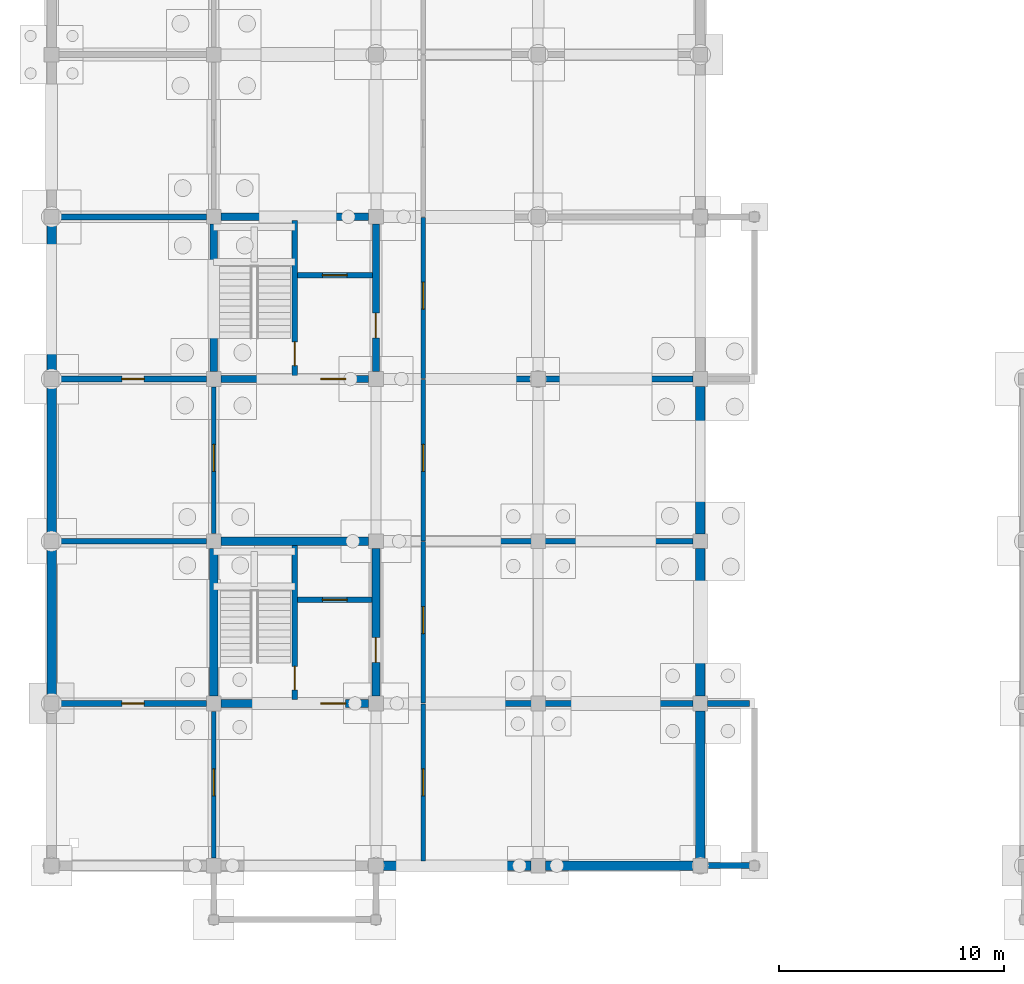
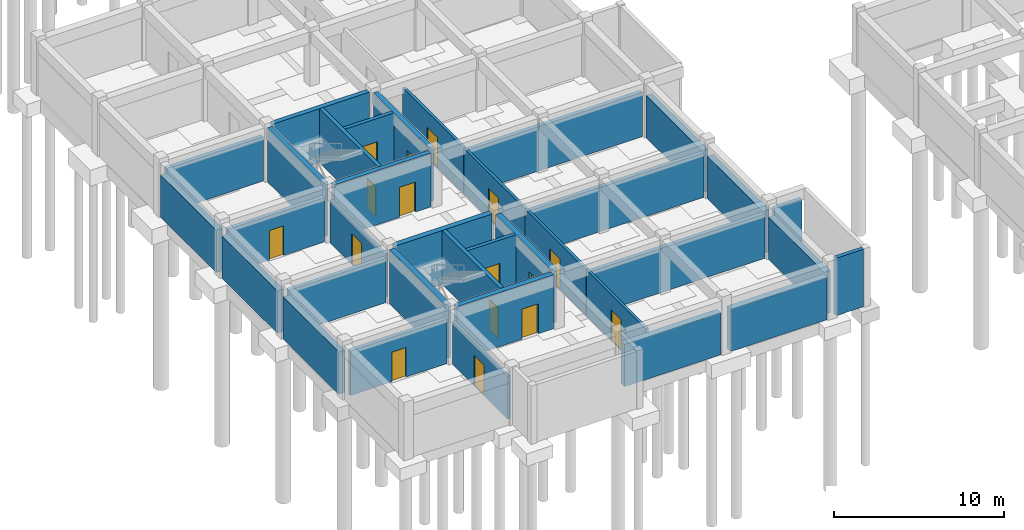
# One storey, part 24 of 38: 35 walls, 16 doors, 16 openings.
"""IFC4 building model written with IfcOpenShell, lengths in metres."""

from ifc_helpers import new_model, si_unit, direction, frame, frame_2d, origin, place, context, subcontext, project, spatial, rectangle, extrude, material, layer, layer_set, type_object, element, fill, save


model = new_model("IFC4")

# Units and contexts
model_context = context("Model", 3, precision=1e-05, world=origin(), true_north=direction((0.0, 1.0)))
body_context = subcontext(model_context, "Body", "Model", "MODEL_VIEW")
ifc_project = project(units=[si_unit("LENGTHUNIT", "METRE"), si_unit("AREAUNIT", "SQUARE_METRE"), si_unit("VOLUMEUNIT", "CUBIC_METRE"), si_unit("PLANEANGLEUNIT", "RADIAN"), si_unit("MASSUNIT", "GRAM", prefix="KILO"), si_unit("THERMODYNAMICTEMPERATUREUNIT", "KELVIN"), si_unit("POWERUNIT", "WATT")], contexts=[model_context])

# Site, building, storey
site_placement = place(None, origin())
site = spatial("IfcSite", under=ifc_project, at=site_placement, CompositionType="ELEMENT")
building_placement = place(site_placement, origin())
building = spatial("IfcBuilding", under=site, at=building_placement, Name="Tavuni Mirador Residences", CompositionType="ELEMENT")
storey_placement = place(building_placement, frame((0.0, 0.0, -4.199951171875)))
storey = spatial("IfcBuildingStorey", under=building, at=storey_placement, Name="B1", CompositionType="ELEMENT", Elevation=-4.199951171875)

# Wall, opening, door
ifc_material_1 = material(Name="Precast concrete C40/50", Category="concrete")
ifc_layer_1 = layer(ifc_material_1, 0.25, Name="Precast concrete C40/50", Category="concrete")
ifc_layer_set_1 = layer_set([ifc_layer_1], Name="Precast concrete C40/50")
wall_type_1 = type_object("IfcWallType", Name="WT-COR250", PredefinedType="SHEAR", material=ifc_layer_set_1)
wall_1_placement = place(storey_placement, frame((14.39990234375, 14.580078125, 0.0), z_axis=(0.0, 0.0, 1.0), x_axis=(0.0, 1.0, 0.0)))
wall_1 = element("IfcWall", 1, at=wall_1_placement, inside=storey, type_object=wall_type_1, Name="CWALL-C1-B1-MID", PredefinedType="SHEAR", context=body_context, shape_type="SweptSolid", body=[
    extrude(rectangle(XDim=6.83984375, YDim=0.25, at=frame_2d((3.419921875, 0.0))), origin(), (0.0, 0.0, 1.0), 3.8798828125),
])
opening_1_placement = place(wall_1_placement, frame((0.419921875, 0.0, 0.0)))
opening_1 = element("IfcOpeningElement", 2, at=opening_1_placement, cuts=wall_1, Name="Opening D-01", PredefinedType="OPENING", context=body_context, shape_type="SweptSolid", body=[
    extrude(rectangle(XDim=1.050048828125, YDim=2.14990234375, at=frame_2d((0.52490234375, 1.074951171875))), frame((0.0, 0.135009765625, 0.0), z_axis=(0.0, -1.0, 0.0), x_axis=(1.0, 0.0, 0.0)), (0.0, 0.0, 1.0), 0.27001953125),
])
ifc_material_2 = material(Name="Solid core iroko timber", Category="wood")
door_type_1 = type_object("IfcDoorType", Name="DT-ST1050", OperationType="NOTDEFINED", PredefinedType="DOOR", material=ifc_material_2)
door_1_placement = place(opening_1_placement, origin())
door_1 = element("IfcDoor", 3, at=door_1_placement, inside=storey, type_object=door_type_1, Name="DR-2003", OperationType="SINGLE_SWING_LEFT", OverallHeight=2.14990234375, OverallWidth=1.050048828125, PredefinedType="DOOR", context=body_context, shape_type="SweptSolid", body=[
    extrude(rectangle(XDim=1.050048828125, YDim=2.14990234375, at=frame_2d((0.52490234375, 1.074951171875))), frame((0.0, 0.02490234375, 0.0), z_axis=(0.0, -1.0, 0.0), x_axis=(1.0, 0.0, 0.0)), (0.0, 0.0, 1.0), 0.050048828125),
])
fill(opening_1, door_1)

wall_2_placement = place(storey_placement, frame((14.52490234375, 19.0, 0.0), z_axis=(0.0, 0.0, 1.0), x_axis=(1.0, 0.0, 0.0)))
wall_2 = element("IfcWall", 4, at=wall_2_placement, inside=storey, type_object=wall_type_1, Name="CWALL-C1-B1-SHF", PredefinedType="SHEAR", context=body_context, shape_type="SweptSolid", body=[
    extrude(rectangle(XDim=3.295166015625, YDim=0.25, at=frame_2d((1.6474609375, 0.0))), origin(), (0.0, 0.0, 1.0), 3.8798828125),
])
opening_2_placement = place(wall_2_placement, frame((1.10009765625, 0.0, 0.0)))
opening_2 = element("IfcOpeningElement", 5, at=opening_2_placement, cuts=wall_2, Name="Opening LD-01", PredefinedType="OPENING", context=body_context, shape_type="SweptSolid", body=[
    extrude(rectangle(XDim=1.10009765625, YDim=2.199951171875, at=frame_2d((0.550048828125, 1.10009765625))), frame((0.0, 0.135009765625, 0.0), z_axis=(0.0, -1.0, 0.0), x_axis=(1.0, 0.0, 0.0)), (0.0, 0.0, 1.0), 0.27001953125),
])
ifc_material_3 = material(Name="Structural steel S355", Category="steel")
door_type_2 = type_object("IfcDoorType", Name="DT-LD-FF", OperationType="SLIDING_TO_LEFT", PredefinedType="DOOR", material=ifc_material_3)
door_2_placement = place(opening_2_placement, origin())
door_2 = element("IfcDoor", 6, at=door_2_placement, inside=storey, type_object=door_type_2, Name="Lift landing door FL-A1 B1", OperationType="SLIDING_TO_LEFT", OverallHeight=2.199951171875, OverallWidth=1.10009765625, PredefinedType="DOOR", context=body_context, shape_type="SweptSolid", body=[
    extrude(rectangle(XDim=1.10009765625, YDim=2.199951171875, at=frame_2d((0.550048828125, 1.10009765625))), frame((0.0, 0.02490234375, 0.0), z_axis=(0.0, -1.0, 0.0), x_axis=(1.0, 0.0, 0.0)), (0.0, 0.0, 1.0), 0.050048828125),
])
fill(opening_2, door_2)

wall_3_placement = place(storey_placement, frame((14.39990234375, 28.9599609375, 0.0), z_axis=(0.0, 0.0, 1.0), x_axis=(0.0, 1.0, 0.0)))
wall_3 = element("IfcWall", 7, at=wall_3_placement, inside=storey, type_object=wall_type_1, Name="CWALL-C2-B1-MID", PredefinedType="SHEAR", context=body_context, shape_type="SweptSolid", body=[
    extrude(rectangle(XDim=6.880126953125, YDim=0.25, at=frame_2d((3.43994140625, 0.0))), origin(), (0.0, 0.0, 1.0), 3.8798828125),
])
opening_3_placement = place(wall_3_placement, frame((0.43994140625, 0.0, 0.0)))
opening_3 = element("IfcOpeningElement", 8, at=opening_3_placement, cuts=wall_3, Name="Opening D-01", PredefinedType="OPENING", context=body_context, shape_type="SweptSolid", body=[
    extrude(rectangle(XDim=1.050048828125, YDim=2.14990234375, at=frame_2d((0.52490234375, 1.074951171875))), frame((0.0, 0.135009765625, 0.0), z_axis=(0.0, -1.0, 0.0), x_axis=(1.0, 0.0, 0.0)), (0.0, 0.0, 1.0), 0.27001953125),
])
door_3_placement = place(opening_3_placement, origin())
door_3 = element("IfcDoor", 9, at=door_3_placement, inside=storey, type_object=door_type_1, Name="DR-2056", OperationType="SINGLE_SWING_RIGHT", OverallHeight=2.14990234375, OverallWidth=1.050048828125, PredefinedType="DOOR", context=body_context, shape_type="SweptSolid", body=[
    extrude(rectangle(XDim=1.050048828125, YDim=2.14990234375, at=frame_2d((0.52490234375, 1.074951171875))), frame((0.0, 0.02490234375, 0.0), z_axis=(0.0, -1.0, 0.0), x_axis=(1.0, 0.0, 0.0)), (0.0, 0.0, 1.0), 0.050048828125),
])
fill(opening_3, door_3)

wall_4_placement = place(storey_placement, frame((14.52490234375, 33.39990234375, 0.0), z_axis=(0.0, 0.0, 1.0), x_axis=(1.0, 0.0, 0.0)))
wall_4 = element("IfcWall", 10, at=wall_4_placement, inside=storey, type_object=wall_type_1, Name="CWALL-C2-B1-SHF", PredefinedType="SHEAR", context=body_context, shape_type="SweptSolid", body=[
    extrude(rectangle(XDim=3.315185546875, YDim=0.25, at=frame_2d((1.65771484375, 0.0))), origin(), (0.0, 0.0, 1.0), 3.8798828125),
])
opening_4_placement = place(wall_4_placement, frame((1.10009765625, 0.0, 0.0)))
opening_4 = element("IfcOpeningElement", 11, at=opening_4_placement, cuts=wall_4, Name="Opening LD-01", PredefinedType="OPENING", context=body_context, shape_type="SweptSolid", body=[
    extrude(rectangle(XDim=1.10009765625, YDim=2.199951171875, at=frame_2d((0.550048828125, 1.10009765625))), frame((0.0, 0.135009765625, 0.0), z_axis=(0.0, -1.0, 0.0), x_axis=(1.0, 0.0, 0.0)), (0.0, 0.0, 1.0), 0.27001953125),
])
door_4_placement = place(opening_4_placement, origin())
door_4 = element("IfcDoor", 12, at=door_4_placement, inside=storey, type_object=door_type_2, Name="Lift landing door FL-A2 B1", OperationType="SLIDING_TO_LEFT", OverallHeight=2.199951171875, OverallWidth=1.10009765625, PredefinedType="DOOR", context=body_context, shape_type="SweptSolid", body=[
    extrude(rectangle(XDim=1.10009765625, YDim=2.199951171875, at=frame_2d((0.550048828125, 1.10009765625))), frame((0.0, 0.02490234375, 0.0), z_axis=(0.0, -1.0, 0.0), x_axis=(1.0, 0.0, 0.0)), (0.0, 0.0, 1.0), 0.050048828125),
])
fill(opening_4, door_4)

# Walls
ifc_layer_2 = layer(ifc_material_1, 0.320068359375, Name="Precast concrete C40/50", Category="concrete")
ifc_layer_set_2 = layer_set([ifc_layer_2], Name="Precast concrete C40/50")
wall_type_2 = type_object("IfcWallType", Name="WT-COR320", PredefinedType="SHEAR", material=ifc_layer_set_2)
for number, where, z_axis, x_axis, name in (
    (13, (10.800048828125, 29.125, 0.0), (0.0, 0.0, 1.0), (0.0, 1.0, 0.0), "CWALL-C2-B1-W"),
    (14, (11.125, 36.0, 0.0), (0.0, 0.0, 1.0), (1.0, 0.0, 0.0), "CWALL-C2-B1-N"),
):
    element("IfcWall", number, at=place(storey_placement, frame(where, z_axis=z_axis, x_axis=x_axis)), inside=storey, type_object=wall_type_2, Name=name, PredefinedType="SHEAR", context=body_context, shape_type="SweptSolid", body=[
        extrude(rectangle(XDim=6.550048828125, YDim=0.320068359375, at=frame_2d((3.27490234375, 0.0))), origin(), (0.0, 0.0, 1.0), 3.8798828125),
    ])

# Wall, opening, door
wall_5_placement = place(storey_placement, frame((18.0, 29.125, 0.0), z_axis=(0.0, 0.0, 1.0), x_axis=(0.0, 1.0, 0.0)))
wall_5 = element("IfcWall", 15, at=wall_5_placement, inside=storey, type_object=wall_type_2, Name="CWALL-C2-B1-E", PredefinedType="SHEAR", context=body_context, shape_type="SweptSolid", body=[
    extrude(rectangle(XDim=6.550048828125, YDim=0.320068359375, at=frame_2d((3.27490234375, 0.0))), origin(), (0.0, 0.0, 1.0), 3.8798828125),
])
opening_5_placement = place(wall_5_placement, frame((1.5, 0.0, 0.0)))
opening_5 = element("IfcOpeningElement", 16, at=opening_5_placement, cuts=wall_5, Name="Opening D-02", PredefinedType="OPENING", context=body_context, shape_type="SweptSolid", body=[
    extrude(rectangle(XDim=1.10009765625, YDim=2.14990234375, at=frame_2d((0.550048828125, 1.074951171875))), frame((0.0, 0.169921875, 0.0), z_axis=(0.0, -1.0, 0.0), x_axis=(1.0, 0.0, 0.0)), (0.0, 0.0, 1.0), 0.340087890625),
])
door_type_3 = type_object("IfcDoorType", Name="DT-LOB1100", OperationType="NOTDEFINED", PredefinedType="DOOR", material=ifc_material_2)
door_5_placement = place(opening_5_placement, frame((1.10009765625, 0.0, 0.0), z_axis=(0.0, 0.0, 1.0), x_axis=(-1.0, 0.0, 0.0)))
door_5 = element("IfcDoor", 17, at=door_5_placement, inside=storey, type_object=door_type_3, Name="DR-2054", OperationType="SINGLE_SWING_LEFT", OverallHeight=2.14990234375, OverallWidth=1.10009765625, PredefinedType="DOOR", context=body_context, shape_type="SweptSolid", body=[
    extrude(rectangle(XDim=1.10009765625, YDim=2.14990234375, at=frame_2d((0.550048828125, 1.074951171875))), frame((0.0, 0.02490234375, 0.0), z_axis=(0.0, -1.0, 0.0), x_axis=(1.0, 0.0, 0.0)), (0.0, 0.0, 1.0), 0.050048828125),
])
fill(opening_5, door_5)

wall_6_placement = place(storey_placement, frame((11.125, 28.800048828125, 0.0), z_axis=(0.0, 0.0, 1.0), x_axis=(1.0, 0.0, 0.0)))
wall_6 = element("IfcWall", 18, at=wall_6_placement, inside=storey, type_object=wall_type_2, Name="CWALL-C2-B1-SS", PredefinedType="SHEAR", context=body_context, shape_type="SweptSolid", body=[
    extrude(rectangle(XDim=6.550048828125, YDim=0.320068359375, at=frame_2d((3.27490234375, 0.0))), origin(), (0.0, 0.0, 1.0), 3.8798828125),
])
opening_6_placement = place(wall_6_placement, frame((4.425048828125, 0.0, 0.0)))
opening_6 = element("IfcOpeningElement", 19, at=opening_6_placement, cuts=wall_6, Name="Opening D-02", PredefinedType="OPENING", context=body_context, shape_type="SweptSolid", body=[
    extrude(rectangle(XDim=1.10009765625, YDim=2.14990234375, at=frame_2d((0.550048828125, 1.074951171875))), frame((0.0, 0.169921875, 0.0), z_axis=(0.0, -1.0, 0.0), x_axis=(1.0, 0.0, 0.0)), (0.0, 0.0, 1.0), 0.340087890625),
])
door_6_placement = place(opening_6_placement, frame((1.10009765625, 0.0, 0.0), z_axis=(0.0, 0.0, 1.0), x_axis=(-1.0, 0.0, 0.0)))
door_6 = element("IfcDoor", 20, at=door_6_placement, inside=storey, type_object=door_type_3, Name="DR-2055", OperationType="SINGLE_SWING_LEFT", OverallHeight=2.14990234375, OverallWidth=1.10009765625, PredefinedType="DOOR", context=body_context, shape_type="SweptSolid", body=[
    extrude(rectangle(XDim=1.10009765625, YDim=2.14990234375, at=frame_2d((0.550048828125, 1.074951171875))), frame((0.0, 0.02490234375, 0.0), z_axis=(0.0, -1.0, 0.0), x_axis=(1.0, 0.0, 0.0)), (0.0, 0.0, 1.0), 0.050048828125),
])
fill(opening_6, door_6)

# Walls
ifc_layer_3 = layer(ifc_material_1, 0.360107421875, Name="Precast concrete C40/50", Category="concrete")
ifc_layer_set_3 = layer_set([ifc_layer_3], Name="Precast concrete C40/50")
wall_type_3 = type_object("IfcWallType", Name="WT-COR360", PredefinedType="SHEAR", material=ifc_layer_set_3)
wall_7_placement = place(storey_placement, frame((10.800048828125, 14.72509765625, 0.0), z_axis=(0.0, 0.0, 1.0), x_axis=(0.0, 1.0, 0.0)))
element("IfcWall", 21, at=wall_7_placement, inside=storey, type_object=wall_type_3, Name="CWALL-C1-B1-W", PredefinedType="SHEAR", context=body_context, shape_type="SweptSolid", body=[
    extrude(rectangle(XDim=6.5498046875, YDim=0.360107421875, at=frame_2d((3.27490234375, 0.0))), origin(), (0.0, 0.0, 1.0), 3.8798828125),
])
wall_8_placement = place(storey_placement, frame((11.125, 21.60009765625, 0.0), z_axis=(0.0, 0.0, 1.0), x_axis=(1.0, 0.0, 0.0)))
element("IfcWall", 22, at=wall_8_placement, inside=storey, type_object=wall_type_3, Name="CWALL-C1-B1-N", PredefinedType="SHEAR", context=body_context, shape_type="SweptSolid", body=[
    extrude(rectangle(XDim=6.550048828125, YDim=0.360107421875, at=frame_2d((3.27490234375, 0.0))), origin(), (0.0, 0.0, 1.0), 3.8798828125),
])

# Wall, opening, door
wall_9_placement = place(storey_placement, frame((18.0, 14.72509765625, 0.0), z_axis=(0.0, 0.0, 1.0), x_axis=(0.0, 1.0, 0.0)))
wall_9 = element("IfcWall", 23, at=wall_9_placement, inside=storey, type_object=wall_type_3, Name="CWALL-C1-B1-E", PredefinedType="SHEAR", context=body_context, shape_type="SweptSolid", body=[
    extrude(rectangle(XDim=6.5498046875, YDim=0.360107421875, at=frame_2d((3.27490234375, 0.0))), origin(), (0.0, 0.0, 1.0), 3.8798828125),
])
opening_7_placement = place(wall_9_placement, frame((1.5, 0.0, 0.0)))
opening_7 = element("IfcOpeningElement", 24, at=opening_7_placement, cuts=wall_9, Name="Opening D-02", PredefinedType="OPENING", context=body_context, shape_type="SweptSolid", body=[
    extrude(rectangle(XDim=1.10009765625, YDim=2.14990234375, at=frame_2d((0.550048828125, 1.074951171875))), frame((0.0, 0.18994140625, 0.0), z_axis=(0.0, -1.0, 0.0), x_axis=(1.0, 0.0, 0.0)), (0.0, 0.0, 1.0), 0.380126953125),
])
door_7_placement = place(opening_7_placement, frame((1.10009765625, 0.0, 0.0), z_axis=(0.0, 0.0, 1.0), x_axis=(-1.0, 0.0, 0.0)))
door_7 = element("IfcDoor", 25, at=door_7_placement, inside=storey, type_object=door_type_3, Name="DR-2001", OperationType="SINGLE_SWING_RIGHT", OverallHeight=2.14990234375, OverallWidth=1.10009765625, PredefinedType="DOOR", context=body_context, shape_type="SweptSolid", body=[
    extrude(rectangle(XDim=1.10009765625, YDim=2.14990234375, at=frame_2d((0.550048828125, 1.074951171875))), frame((0.0, 0.02490234375, 0.0), z_axis=(0.0, -1.0, 0.0), x_axis=(1.0, 0.0, 0.0)), (0.0, 0.0, 1.0), 0.050048828125),
])
fill(opening_7, door_7)

wall_10_placement = place(storey_placement, frame((11.125, 14.39990234375, 0.0), z_axis=(0.0, 0.0, 1.0), x_axis=(1.0, 0.0, 0.0)))
wall_10 = element("IfcWall", 26, at=wall_10_placement, inside=storey, type_object=wall_type_3, Name="CWALL-C1-B1-SS", PredefinedType="SHEAR", context=body_context, shape_type="SweptSolid", body=[
    extrude(rectangle(XDim=6.550048828125, YDim=0.360107421875, at=frame_2d((3.27490234375, 0.0))), origin(), (0.0, 0.0, 1.0), 3.8798828125),
])
opening_8_placement = place(wall_10_placement, frame((4.425048828125, 0.0, 0.0)))
opening_8 = element("IfcOpeningElement", 27, at=opening_8_placement, cuts=wall_10, Name="Opening D-02", PredefinedType="OPENING", context=body_context, shape_type="SweptSolid", body=[
    extrude(rectangle(XDim=1.10009765625, YDim=2.14990234375, at=frame_2d((0.550048828125, 1.074951171875))), frame((0.0, 0.18994140625, 0.0), z_axis=(0.0, -1.0, 0.0), x_axis=(1.0, 0.0, 0.0)), (0.0, 0.0, 1.0), 0.380126953125),
])
door_8_placement = place(opening_8_placement, frame((1.10009765625, 0.0, 0.0), z_axis=(0.0, 0.0, 1.0), x_axis=(-1.0, 0.0, 0.0)))
door_8 = element("IfcDoor", 28, at=door_8_placement, inside=storey, type_object=door_type_3, Name="DR-2002", OperationType="SINGLE_SWING_RIGHT", OverallHeight=2.14990234375, OverallWidth=1.10009765625, PredefinedType="DOOR", context=body_context, shape_type="SweptSolid", body=[
    extrude(rectangle(XDim=1.10009765625, YDim=2.14990234375, at=frame_2d((0.550048828125, 1.074951171875))), frame((0.0, 0.02490234375, 0.0), z_axis=(0.0, -1.0, 0.0), x_axis=(1.0, 0.0, 0.0)), (0.0, 0.0, 1.0), 0.050048828125),
])
fill(opening_8, door_8)

ifc_layer_4 = layer(ifc_material_1, 0.18505859375, Name="Precast concrete C40/50", Category="concrete")
ifc_layer_set_4 = layer_set([ifc_layer_4], Name="Precast concrete C40/50")
wall_type_4 = type_object("IfcWallType", Name="WT-CORR185", PredefinedType="PARTITIONING", material=ifc_layer_set_4)
wall_11_placement = place(storey_placement, frame((20.10009765625, 7.4150390625, 0.0), z_axis=(0.0, 0.0, 1.0), x_axis=(0.0, 1.0, 0.0)))
wall_11 = element("IfcWall", 29, at=wall_11_placement, inside=storey, type_object=wall_type_4, Name="CORW-BLK-A-B1-0-00", PredefinedType="PARTITIONING", context=body_context, shape_type="SweptSolid", body=[
    extrude(rectangle(XDim=6.96484375, YDim=0.18505859375, at=frame_2d((3.482421875, 0.0))), origin(), (0.0, 0.0, 1.0), 3.31494140625),
])
opening_9_placement = place(wall_11_placement, frame((2.885009765625, 0.0, 0.0)))
opening_9 = element("IfcOpeningElement", 30, at=opening_9_placement, cuts=wall_11, Name="Opening D-18", PredefinedType="OPENING", context=body_context, shape_type="SweptSolid", body=[
    extrude(rectangle(XDim=1.199951171875, YDim=2.199951171875, at=frame_2d((0.60009765625, 1.10009765625))), frame((0.0, 0.1025390625, 0.0), z_axis=(0.0, -1.0, 0.0), x_axis=(1.0, 0.0, 0.0)), (0.0, 0.0, 1.0), 0.205078125),
])
door_type_4 = type_object("IfcDoorType", Name="DT-PLT1200", OperationType="NOTDEFINED", PredefinedType="DOOR", material=ifc_material_3)
door_9_placement = place(opening_9_placement, origin())
door_9 = element("IfcDoor", 31, at=door_9_placement, inside=storey, type_object=door_type_4, Name="DR-2373", OperationType="SINGLE_SWING_RIGHT", OverallHeight=2.199951171875, OverallWidth=1.199951171875, PredefinedType="DOOR", context=body_context, shape_type="SweptSolid", body=[
    extrude(rectangle(XDim=1.199951171875, YDim=2.199951171875, at=frame_2d((0.60009765625, 1.10009765625))), frame((0.0, 0.02490234375, 0.0), z_axis=(0.0, -1.0, 0.0), x_axis=(1.0, 0.0, 0.0)), (0.0, 0.0, 1.0), 0.050048828125),
])
fill(opening_9, door_9)

wall_12_placement = place(storey_placement, frame((20.10009765625, 14.419921875, 0.0), z_axis=(0.0, 0.0, 1.0), x_axis=(0.0, 1.0, 0.0)))
wall_12 = element("IfcWall", 32, at=wall_12_placement, inside=storey, type_object=wall_type_4, Name="CORW-BLK-A-B1-0-01", PredefinedType="PARTITIONING", context=body_context, shape_type="SweptSolid", body=[
    extrude(rectangle(XDim=7.16015625, YDim=0.18505859375, at=frame_2d((3.580078125, 0.0))), origin(), (0.0, 0.0, 1.0), 3.31494140625),
])
opening_10_placement = place(wall_12_placement, frame((3.080078125, 0.0, 0.0)))
opening_10 = element("IfcOpeningElement", 33, at=opening_10_placement, cuts=wall_12, Name="Opening D-18", PredefinedType="OPENING", context=body_context, shape_type="SweptSolid", body=[
    extrude(rectangle(XDim=1.199951171875, YDim=2.199951171875, at=frame_2d((0.60009765625, 1.10009765625))), frame((0.0, 0.1025390625, 0.0), z_axis=(0.0, -1.0, 0.0), x_axis=(1.0, 0.0, 0.0)), (0.0, 0.0, 1.0), 0.205078125),
])
door_10_placement = place(opening_10_placement, origin())
door_10 = element("IfcDoor", 34, at=door_10_placement, inside=storey, type_object=door_type_4, Name="DR-2374", OperationType="SINGLE_SWING_LEFT", OverallHeight=2.199951171875, OverallWidth=1.199951171875, PredefinedType="DOOR", context=body_context, shape_type="SweptSolid", body=[
    extrude(rectangle(XDim=1.199951171875, YDim=2.199951171875, at=frame_2d((0.60009765625, 1.10009765625))), frame((0.0, 0.02490234375, 0.0), z_axis=(0.0, -1.0, 0.0), x_axis=(1.0, 0.0, 0.0)), (0.0, 0.0, 1.0), 0.050048828125),
])
fill(opening_10, door_10)

wall_13_placement = place(storey_placement, frame((20.10009765625, 21.6201171875, 0.0), z_axis=(0.0, 0.0, 1.0), x_axis=(0.0, 1.0, 0.0)))
wall_13 = element("IfcWall", 35, at=wall_13_placement, inside=storey, type_object=wall_type_4, Name="CORW-BLK-A-B1-0-02", PredefinedType="PARTITIONING", context=body_context, shape_type="SweptSolid", body=[
    extrude(rectangle(XDim=7.159912109375, YDim=0.18505859375, at=frame_2d((3.580078125, 0.0))), origin(), (0.0, 0.0, 1.0), 3.31494140625),
])
opening_11_placement = place(wall_13_placement, frame((3.080078125, 0.0, 0.0)))
opening_11 = element("IfcOpeningElement", 36, at=opening_11_placement, cuts=wall_13, Name="Opening D-18", PredefinedType="OPENING", context=body_context, shape_type="SweptSolid", body=[
    extrude(rectangle(XDim=1.199951171875, YDim=2.199951171875, at=frame_2d((0.60009765625, 1.10009765625))), frame((0.0, 0.1025390625, 0.0), z_axis=(0.0, -1.0, 0.0), x_axis=(1.0, 0.0, 0.0)), (0.0, 0.0, 1.0), 0.205078125),
])
door_11_placement = place(opening_11_placement, origin())
door_11 = element("IfcDoor", 37, at=door_11_placement, inside=storey, type_object=door_type_4, Name="DR-2375", OperationType="SINGLE_SWING_RIGHT", OverallHeight=2.199951171875, OverallWidth=1.199951171875, PredefinedType="DOOR", context=body_context, shape_type="SweptSolid", body=[
    extrude(rectangle(XDim=1.199951171875, YDim=2.199951171875, at=frame_2d((0.60009765625, 1.10009765625))), frame((0.0, 0.02490234375, 0.0), z_axis=(0.0, -1.0, 0.0), x_axis=(1.0, 0.0, 0.0)), (0.0, 0.0, 1.0), 0.050048828125),
])
fill(opening_11, door_11)

wall_14_placement = place(storey_placement, frame((20.10009765625, 28.820068359375, 0.0), z_axis=(0.0, 0.0, 1.0), x_axis=(0.0, 1.0, 0.0)))
wall_14 = element("IfcWall", 38, at=wall_14_placement, inside=storey, type_object=wall_type_4, Name="CORW-BLK-A-B1-0-03", PredefinedType="PARTITIONING", context=body_context, shape_type="SweptSolid", body=[
    extrude(rectangle(XDim=7.159912109375, YDim=0.18505859375, at=frame_2d((3.580078125, 0.0))), origin(), (0.0, 0.0, 1.0), 3.31494140625),
])
opening_12_placement = place(wall_14_placement, frame((3.080078125, 0.0, 0.0)))
opening_12 = element("IfcOpeningElement", 39, at=opening_12_placement, cuts=wall_14, Name="Opening D-18", PredefinedType="OPENING", context=body_context, shape_type="SweptSolid", body=[
    extrude(rectangle(XDim=1.199951171875, YDim=2.199951171875, at=frame_2d((0.60009765625, 1.10009765625))), frame((0.0, 0.1025390625, 0.0), z_axis=(0.0, -1.0, 0.0), x_axis=(1.0, 0.0, 0.0)), (0.0, 0.0, 1.0), 0.205078125),
])
door_12_placement = place(opening_12_placement, origin())
door_12 = element("IfcDoor", 40, at=door_12_placement, inside=storey, type_object=door_type_4, Name="DR-2376", OperationType="SINGLE_SWING_LEFT", OverallHeight=2.199951171875, OverallWidth=1.199951171875, PredefinedType="DOOR", context=body_context, shape_type="SweptSolid", body=[
    extrude(rectangle(XDim=1.199951171875, YDim=2.199951171875, at=frame_2d((0.60009765625, 1.10009765625))), frame((0.0, 0.02490234375, 0.0), z_axis=(0.0, -1.0, 0.0), x_axis=(1.0, 0.0, 0.0)), (0.0, 0.0, 1.0), 0.050048828125),
])
fill(opening_12, door_12)

wall_15_placement = place(storey_placement, frame((10.800048828125, 7.550048828125, 0.0), z_axis=(0.0, 0.0, 1.0), x_axis=(0.0, 1.0, 0.0)))
wall_15 = element("IfcWall", 41, at=wall_15_placement, inside=storey, type_object=wall_type_4, Name="CORW-BLK-A-B1-1-00", PredefinedType="PARTITIONING", context=body_context, shape_type="SweptSolid", body=[
    extrude(rectangle(XDim=6.5, YDim=0.18505859375, at=frame_2d((3.25, 0.0))), origin(), (0.0, 0.0, 1.0), 3.079833984375),
])
opening_13_placement = place(wall_15_placement, frame((2.75, 0.0, 0.0)))
opening_13 = element("IfcOpeningElement", 42, at=opening_13_placement, cuts=wall_15, Name="Opening D-18", PredefinedType="OPENING", context=body_context, shape_type="SweptSolid", body=[
    extrude(rectangle(XDim=1.199951171875, YDim=2.199951171875, at=frame_2d((0.60009765625, 1.10009765625))), frame((0.0, 0.1025390625, 0.0), z_axis=(0.0, -1.0, 0.0), x_axis=(1.0, 0.0, 0.0)), (0.0, 0.0, 1.0), 0.205078125),
])
door_13_placement = place(opening_13_placement, origin())
door_13 = element("IfcDoor", 43, at=door_13_placement, inside=storey, type_object=door_type_4, Name="DR-2379", OperationType="SINGLE_SWING_RIGHT", OverallHeight=2.199951171875, OverallWidth=1.199951171875, PredefinedType="DOOR", context=body_context, shape_type="SweptSolid", body=[
    extrude(rectangle(XDim=1.199951171875, YDim=2.199951171875, at=frame_2d((0.60009765625, 1.10009765625))), frame((0.0, 0.02490234375, 0.0), z_axis=(0.0, -1.0, 0.0), x_axis=(1.0, 0.0, 0.0)), (0.0, 0.0, 1.0), 0.050048828125),
])
fill(opening_13, door_13)

wall_16_placement = place(storey_placement, frame((10.800048828125, 21.949951171875, 0.0), z_axis=(0.0, 0.0, 1.0), x_axis=(0.0, 1.0, 0.0)))
wall_16 = element("IfcWall", 44, at=wall_16_placement, inside=storey, type_object=wall_type_4, Name="CORW-BLK-A-B1-1-02", PredefinedType="PARTITIONING", context=body_context, shape_type="SweptSolid", body=[
    extrude(rectangle(XDim=6.5, YDim=0.18505859375, at=frame_2d((3.25, 0.0))), origin(), (0.0, 0.0, 1.0), 3.079833984375),
])
opening_14_placement = place(wall_16_placement, frame((2.75, 0.0, 0.0)))
opening_14 = element("IfcOpeningElement", 45, at=opening_14_placement, cuts=wall_16, Name="Opening D-18", PredefinedType="OPENING", context=body_context, shape_type="SweptSolid", body=[
    extrude(rectangle(XDim=1.199951171875, YDim=2.199951171875, at=frame_2d((0.60009765625, 1.10009765625))), frame((0.0, 0.1025390625, 0.0), z_axis=(0.0, -1.0, 0.0), x_axis=(1.0, 0.0, 0.0)), (0.0, 0.0, 1.0), 0.205078125),
])
door_14_placement = place(opening_14_placement, origin())
door_14 = element("IfcDoor", 46, at=door_14_placement, inside=storey, type_object=door_type_4, Name="DR-2380", OperationType="SINGLE_SWING_LEFT", OverallHeight=2.199951171875, OverallWidth=1.199951171875, PredefinedType="DOOR", context=body_context, shape_type="SweptSolid", body=[
    extrude(rectangle(XDim=1.199951171875, YDim=2.199951171875, at=frame_2d((0.60009765625, 1.10009765625))), frame((0.0, 0.02490234375, 0.0), z_axis=(0.0, -1.0, 0.0), x_axis=(1.0, 0.0, 0.0)), (0.0, 0.0, 1.0), 0.050048828125),
])
fill(opening_14, door_14)

# Walls
ifc_material_4 = material(Name="In-situ concrete C35/45", Category="concrete")
ifc_layer_5 = layer(ifc_material_4, 0.419921875, Name="In-situ concrete C35/45", Category="concrete")
ifc_layer_set_5 = layer_set([ifc_layer_5], Name="In-situ concrete C35/45")
wall_type_5 = type_object("IfcWallType", Name="WT-RET420", PredefinedType="USERDEFINED", material=ifc_layer_set_5)
for number, where, z_axis, x_axis, name in (
    (47, (18.324951171875, 7.199951171875, 0.0), (0.0, 0.0, 1.0), (1.0, 0.0, 0.0), "RET-BLK-A-S-02"),
    (48, (25.52490234375, 7.199951171875, 0.0), (0.0, 0.0, 1.0), (1.0, 0.0, 0.0), "RET-BLK-A-S-03"),
    (49, (32.39990234375, 7.52490234375, 0.0), (0.0, 0.0, 1.0), (0.0, 1.0, 0.0), "RET-BLK-A-E-00"),
):
    element("IfcWall", number, at=place(storey_placement, frame(where, z_axis=z_axis, x_axis=x_axis)), inside=storey, type_object=wall_type_5, Name=name, ObjectType="RETAINING WALL", PredefinedType="USERDEFINED", context=body_context, shape_type="SweptSolid", body=[
        extrude(rectangle(XDim=6.550048828125, YDim=0.419921875, at=frame_2d((3.27490234375, 0.0))), origin(), (0.0, 0.0, 1.0), 3.030029296875),
    ])
for number, where, z_axis, x_axis, name in (
    (50, (32.39990234375, 14.72509765625, 0.0), (0.0, 0.0, 1.0), (0.0, 1.0, 0.0), "RET-BLK-A-E-01"),
    (51, (3.60009765625, 21.27490234375, 0.0), (0.0, 0.0, 1.0), (0.0, -1.0, 0.0), "RET-BLK-A-W-01"),
):
    element("IfcWall", number, at=place(storey_placement, frame(where, z_axis=z_axis, x_axis=x_axis)), inside=storey, type_object=wall_type_5, Name=name, ObjectType="RETAINING WALL", PredefinedType="USERDEFINED", context=body_context, shape_type="SweptSolid", body=[
        extrude(rectangle(XDim=6.5498046875, YDim=0.419921875, at=frame_2d((3.27490234375, 0.0))), origin(), (0.0, 0.0, 1.0), 3.030029296875),
    ])
for number, where, z_axis, x_axis, name in (
    (52, (32.39990234375, 21.925048828125, 0.0), (0.0, 0.0, 1.0), (0.0, 1.0, 0.0), "RET-BLK-A-E-02"),
    (53, (3.60009765625, 28.47509765625, 0.0), (0.0, 0.0, 1.0), (0.0, -1.0, 0.0), "RET-BLK-A-W-02"),
    (54, (3.60009765625, 35.675048828125, 0.0), (0.0, 0.0, 1.0), (0.0, -1.0, 0.0), "RET-BLK-A-W-03"),
):
    element("IfcWall", number, at=place(storey_placement, frame(where, z_axis=z_axis, x_axis=x_axis)), inside=storey, type_object=wall_type_5, Name=name, ObjectType="RETAINING WALL", PredefinedType="USERDEFINED", context=body_context, shape_type="SweptSolid", body=[
        extrude(rectangle(XDim=6.550048828125, YDim=0.419921875, at=frame_2d((3.27490234375, 0.0))), origin(), (0.0, 0.0, 1.0), 3.030029296875),
    ])
ifc_layer_6 = layer(ifc_material_1, 0.264892578125, Name="Precast concrete C40/50", Category="concrete")
ifc_layer_set_6 = layer_set([ifc_layer_6], Name="Precast concrete C40/50")
wall_type_6 = type_object("IfcWallType", Name="WT-XW265", PredefinedType="SOLIDWALL", material=ifc_layer_set_6)
wall_17_placement = place(storey_placement, frame((32.72509765625, 7.199951171875, 0.0), z_axis=(0.0, 0.0, 1.0), x_axis=(1.0, 0.0, 0.0)))
element("IfcWall", 55, at=wall_17_placement, inside=storey, type_object=wall_type_6, Name="RET-APR-BLKA-E1-S0", PredefinedType="SOLIDWALL", context=body_context, shape_type="SweptSolid", body=[
    extrude(rectangle(XDim=1.864990234375, YDim=0.264892578125, at=frame_2d((0.9326171875, 0.0))), origin(), (0.0, 0.0, 1.0), 4.119873046875),
])
wall_18_placement = place(storey_placement, frame((34.590087890625, 14.39990234375, 0.0), z_axis=(0.0, 0.0, 1.0), x_axis=(-1.0, 0.0, 0.0)))
element("IfcWall", 56, at=wall_18_placement, inside=storey, type_object=wall_type_6, Name="RET-APR-BLKA-E1-N0", PredefinedType="SOLIDWALL", context=body_context, shape_type="SweptSolid", body=[
    extrude(rectangle(XDim=1.864990234375, YDim=0.264892578125, at=frame_2d((0.9326171875, 0.0))), origin(), (0.0, 0.0, 1.0), 3.349853515625),
])

# Wall, opening, door
wall_19_placement = place(storey_placement, frame((3.925048828125, 14.39990234375, 0.0), z_axis=(0.0, 0.0, 1.0), x_axis=(1.0, 0.0, 0.0)))
wall_19 = element("IfcWall", 57, at=wall_19_placement, inside=storey, type_object=wall_type_6, Name="XW-BLK-A-B1-W-01", PredefinedType="SOLIDWALL", context=body_context, shape_type="SweptSolid", body=[
    extrude(rectangle(XDim=6.550048828125, YDim=0.264892578125, at=frame_2d((3.27490234375, 0.0))), origin(), (0.0, 0.0, 1.0), 3.179931640625),
])
opening_15_placement = place(wall_19_placement, frame((2.800048828125, 0.0, 0.0)))
opening_15 = element("IfcOpeningElement", 58, at=opening_15_placement, cuts=wall_19, Name="Opening D-04", PredefinedType="OPENING", context=body_context, shape_type="SweptSolid", body=[
    extrude(rectangle(XDim=0.97998046875, YDim=2.1201171875, at=frame_2d((0.489990234375, 1.06005859375))), frame((0.0, 0.142578125, 0.0), z_axis=(0.0, -1.0, 0.0), x_axis=(1.0, 0.0, 0.0)), (0.0, 0.0, 1.0), 0.284912109375),
])
door_type_5 = type_object("IfcDoorType", Name="DT-FD60-980", OperationType="NOTDEFINED", PredefinedType="DOOR", material=ifc_material_2)
door_15_placement = place(opening_15_placement, origin())
door_15 = element("IfcDoor", 59, at=door_15_placement, inside=storey, type_object=door_type_5, Name="DR-4672", OperationType="SINGLE_SWING_LEFT", OverallHeight=2.1201171875, OverallWidth=0.97998046875, PredefinedType="DOOR", context=body_context, shape_type="SweptSolid", body=[
    extrude(rectangle(XDim=0.97998046875, YDim=2.1201171875, at=frame_2d((0.489990234375, 1.06005859375))), frame((0.0, 0.02490234375, 0.0), z_axis=(0.0, -1.0, 0.0), x_axis=(1.0, 0.0, 0.0)), (0.0, 0.0, 1.0), 0.050048828125),
])
fill(opening_15, door_15)

# Walls
wall_20_placement = place(storey_placement, frame((20.10009765625, 14.39990234375, 0.0), z_axis=(0.0, 0.0, 1.0), x_axis=(1.0, 0.0, 0.0)))
element("IfcWall", 60, at=wall_20_placement, inside=storey, type_object=wall_type_6, Name="XW-BLK-A-B1-E-01", PredefinedType="SOLIDWALL", context=body_context, shape_type="SweptSolid", body=[
    extrude(rectangle(XDim=11.974853515625, YDim=0.264892578125, at=frame_2d((5.9873046875, 0.0))), origin(), (0.0, 0.0, 1.0), 3.179931640625),
])
wall_21_placement = place(storey_placement, frame((3.925048828125, 21.60009765625, 0.0), z_axis=(0.0, 0.0, 1.0), x_axis=(1.0, 0.0, 0.0)))
element("IfcWall", 61, at=wall_21_placement, inside=storey, type_object=wall_type_6, Name="XW-BLK-A-B1-W-02", PredefinedType="SOLIDWALL", context=body_context, shape_type="SweptSolid", body=[
    extrude(rectangle(XDim=6.550048828125, YDim=0.264892578125, at=frame_2d((3.27490234375, 0.0))), origin(), (0.0, 0.0, 1.0), 3.179931640625),
])
wall_22_placement = place(storey_placement, frame((20.10009765625, 21.60009765625, 0.0), z_axis=(0.0, 0.0, 1.0), x_axis=(1.0, 0.0, 0.0)))
element("IfcWall", 62, at=wall_22_placement, inside=storey, type_object=wall_type_6, Name="XW-BLK-A-B1-E-02", PredefinedType="SOLIDWALL", context=body_context, shape_type="SweptSolid", body=[
    extrude(rectangle(XDim=11.974853515625, YDim=0.264892578125, at=frame_2d((5.9873046875, 0.0))), origin(), (0.0, 0.0, 1.0), 3.179931640625),
])

# Wall, opening, door
wall_23_placement = place(storey_placement, frame((3.925048828125, 28.800048828125, 0.0), z_axis=(0.0, 0.0, 1.0), x_axis=(1.0, 0.0, 0.0)))
wall_23 = element("IfcWall", 63, at=wall_23_placement, inside=storey, type_object=wall_type_6, Name="XW-BLK-A-B1-W-03", PredefinedType="SOLIDWALL", context=body_context, shape_type="SweptSolid", body=[
    extrude(rectangle(XDim=6.550048828125, YDim=0.264892578125, at=frame_2d((3.27490234375, 0.0))), origin(), (0.0, 0.0, 1.0), 3.179931640625),
])
opening_16_placement = place(wall_23_placement, frame((2.800048828125, 0.0, 0.0)))
opening_16 = element("IfcOpeningElement", 64, at=opening_16_placement, cuts=wall_23, Name="Opening D-04", PredefinedType="OPENING", context=body_context, shape_type="SweptSolid", body=[
    extrude(rectangle(XDim=0.97998046875, YDim=2.1201171875, at=frame_2d((0.489990234375, 1.06005859375))), frame((0.0, 0.142578125, 0.0), z_axis=(0.0, -1.0, 0.0), x_axis=(1.0, 0.0, 0.0)), (0.0, 0.0, 1.0), 0.284912109375),
])
door_16_placement = place(opening_16_placement, origin())
door_16 = element("IfcDoor", 65, at=door_16_placement, inside=storey, type_object=door_type_5, Name="DR-4673", OperationType="SINGLE_SWING_RIGHT", OverallHeight=2.1201171875, OverallWidth=0.97998046875, PredefinedType="DOOR", context=body_context, shape_type="SweptSolid", body=[
    extrude(rectangle(XDim=0.97998046875, YDim=2.1201171875, at=frame_2d((0.489990234375, 1.06005859375))), frame((0.0, 0.02490234375, 0.0), z_axis=(0.0, -1.0, 0.0), x_axis=(1.0, 0.0, 0.0)), (0.0, 0.0, 1.0), 0.050048828125),
])
fill(opening_16, door_16)

# Walls
wall_24_placement = place(storey_placement, frame((20.10009765625, 28.800048828125, 0.0), z_axis=(0.0, 0.0, 1.0), x_axis=(1.0, 0.0, 0.0)))
element("IfcWall", 66, at=wall_24_placement, inside=storey, type_object=wall_type_6, Name="XW-BLK-A-B1-E-03", PredefinedType="SOLIDWALL", context=body_context, shape_type="SweptSolid", body=[
    extrude(rectangle(XDim=11.974853515625, YDim=0.264892578125, at=frame_2d((5.9873046875, 0.0))), origin(), (0.0, 0.0, 1.0), 3.179931640625),
])
wall_25_placement = place(storey_placement, frame((3.925048828125, 36.0, 0.0), z_axis=(0.0, 0.0, 1.0), x_axis=(1.0, 0.0, 0.0)))
element("IfcWall", 67, at=wall_25_placement, inside=storey, type_object=wall_type_6, Name="XW-BLK-A-B1-W-04", PredefinedType="SOLIDWALL", context=body_context, shape_type="SweptSolid", body=[
    extrude(rectangle(XDim=6.550048828125, YDim=0.264892578125, at=frame_2d((3.27490234375, 0.0))), origin(), (0.0, 0.0, 1.0), 3.179931640625),
])

save(model, "model.ifc")
